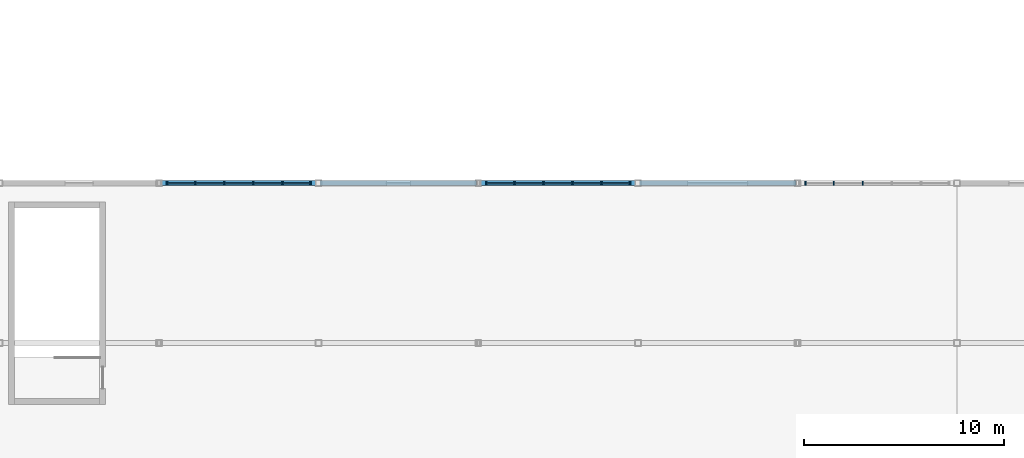
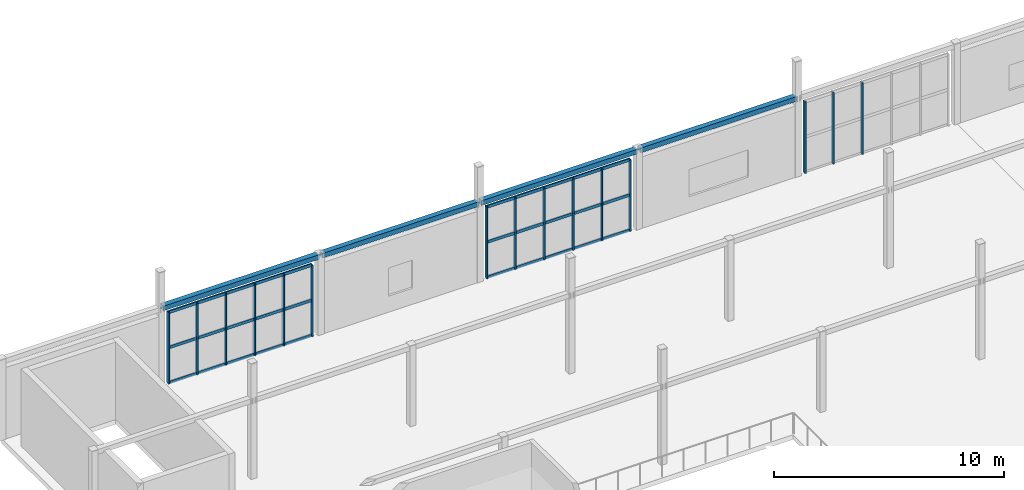
# One storey, part 29 of 83: 25 members, 3 elements without a shape of their own.
"""IFC4 building model written with IfcOpenShell, lengths in metres."""

from ifc_helpers import new_model, si_unit, direction, frame, origin, origin_2d, place, context, subcontext, project, spatial, rectangle, hollow_rectangle, extrude, material, material_profile, profile_set, type_object, element, aggregate, save


model = new_model("IFC4")

# Units and contexts
model_context = context("Model", 3, precision=1e-05, world=origin(), true_north=direction((0.0, 1.0)))
body_context = subcontext(model_context, "Body", "Model", "MODEL_VIEW")
ifc_project = project(units=[si_unit("LENGTHUNIT", "METRE"), si_unit("AREAUNIT", "SQUARE_METRE"), si_unit("VOLUMEUNIT", "CUBIC_METRE"), si_unit("PLANEANGLEUNIT", "RADIAN"), si_unit("MASSUNIT", "GRAM", prefix="KILO")], contexts=[model_context])

# Site, building, storey
site_placement = place(None, origin())
site = spatial("IfcSite", under=ifc_project, at=site_placement, CompositionType="ELEMENT")
building_placement = place(site_placement, origin())
building = spatial("IfcBuilding", under=site, at=building_placement, Name="Drelvath Fold Interchange", CompositionType="ELEMENT")
storey_placement = place(building_placement, frame((0.0, 0.0, 11.199951171875)))
storey = spatial("IfcBuildingStorey", under=building, at=storey_placement, Name="L02", CompositionType="ELEMENT", Elevation=11.199951171875)

# Members
ifc_material_1 = material(Name="Steel ASTM A500 Grade C", Category="steel")
ifc_material_profile_1 = material_profile(ifc_material_1, hollow_rectangle(XDim=0.25390625, YDim=0.25390625, WallThickness=0.01171875, at=origin_2d()), Name="HSS10X10X1/2")
ifc_profile_set_1 = profile_set([ifc_material_profile_1], Name="Steel ASTM A500 Grade C")
member_type_1 = type_object("IfcMemberType", Name="FP-CHD254", PredefinedType="CHORD", material=ifc_profile_set_1)
for number, where, z_axis, x_axis, name in (
    (1, (12.080078125, 99.0, 4.150146484375), (1.0, 0.0, 0.0), (0.0, 1.0, 0.0), "L02 Folded-plate roof truss tie chord FP-CHD254"),
    (2, (20.080078125, 99.0, 4.150146484375), (1.0, 0.0, 0.0), (0.0, 1.0, 0.0), "L02 Folded-plate roof truss tie chord FP-CHD254"),
    (3, (28.080078125, 99.0, 4.150146484375), (1.0, 0.0, 0.0), (0.0, 1.0, 0.0), "L02 Folded-plate roof truss tie chord FP-CHD254"),
    (4, (36.080078125, 99.0, 4.150146484375), (1.0, 0.0, 0.0), (0.0, 1.0, 0.0), "L02 Folded-plate roof truss tie chord FP-CHD254"),
):
    element("IfcMember", number, at=place(storey_placement, frame(where, z_axis=z_axis, x_axis=x_axis)), inside=storey, type_object=member_type_1, Name=name, PredefinedType="CHORD", context=body_context, shape_type="SweptSolid", body=[
        extrude(hollow_rectangle(XDim=0.25390625, YDim=0.25390625, WallThickness=0.01171875, at=origin_2d()), origin(), (0.0, 0.0, 1.0), 7.83984375),
    ])

# Curtain wall, members
ifc_material_2 = material(Name="Anodized Aluminium 6063-T6", Category="aluminium")
curtain_wall_type = type_object("IfcCurtainWallType", Name="CW-CON-440", PredefinedType="USERDEFINED", material=ifc_material_2)
curtain_wall_1_placement = place(storey_placement, origin())
curtain_wall_1 = element("IfcCurtainWall", 5, at=curtain_wall_1_placement, inside=storey, type_object=curtain_wall_type, Name="Curtain wall CW-V1-L02-N12", ObjectType="UNITISED CURTAIN WALL", PredefinedType="USERDEFINED")
ifc_material_profile_2 = material_profile(ifc_material_2, rectangle(XDim=0.06494140625, YDim=0.18994140625, at=origin_2d()), Name="AL-M 65x190")
ifc_profile_set_2 = profile_set([ifc_material_profile_2], Name="Anodized Aluminium 6063-T6")
member_type_2 = type_object("IfcMemberType", Name="ML-190", PredefinedType="MULLION", material=ifc_profile_set_2)
member_1_placement = place(storey_placement, frame((12.39990234375, 99.0, 0.0), z_axis=(0.0, 0.0, 1.0), x_axis=(1.0, 0.0, 0.0)))
member_1 = element("IfcMember", 6, at=member_1_placement, type_object=member_type_2, Name="CW-V1-L02-N12 mullion 0", PredefinedType="MULLION", context=body_context, shape_type="SweptSolid", body=[
    extrude(rectangle(XDim=0.06494140625, YDim=0.18994140625, at=origin_2d()), origin(), (0.0, 0.0, 1.0), 3.800048828125),
])
member_2_placement = place(storey_placement, frame((13.81591796875, 99.0, 0.0), z_axis=(0.0, 0.0, 1.0), x_axis=(1.0, 0.0, 0.0)))
member_2 = element("IfcMember", 7, at=member_2_placement, type_object=member_type_2, Name="CW-V1-L02-N12 mullion 1", PredefinedType="MULLION", context=body_context, shape_type="SweptSolid", body=[
    extrude(rectangle(XDim=0.06494140625, YDim=0.18994140625, at=origin_2d()), origin(), (0.0, 0.0, 1.0), 3.800048828125),
])
member_3_placement = place(storey_placement, frame((15.27197265625, 99.0, 0.0), z_axis=(0.0, 0.0, 1.0), x_axis=(1.0, 0.0, 0.0)))
member_3 = element("IfcMember", 8, at=member_3_placement, type_object=member_type_2, Name="CW-V1-L02-N12 mullion 2", PredefinedType="MULLION", context=body_context, shape_type="SweptSolid", body=[
    extrude(rectangle(XDim=0.06494140625, YDim=0.18994140625, at=origin_2d()), origin(), (0.0, 0.0, 1.0), 3.800048828125),
])
member_4_placement = place(storey_placement, frame((16.72802734375, 99.0, 0.0), z_axis=(0.0, 0.0, 1.0), x_axis=(1.0, 0.0, 0.0)))
member_4 = element("IfcMember", 9, at=member_4_placement, type_object=member_type_2, Name="CW-V1-L02-N12 mullion 3", PredefinedType="MULLION", context=body_context, shape_type="SweptSolid", body=[
    extrude(rectangle(XDim=0.06494140625, YDim=0.18994140625, at=origin_2d()), origin(), (0.0, 0.0, 1.0), 3.800048828125),
])
member_5_placement = place(storey_placement, frame((18.18408203125, 99.0, 0.0), z_axis=(0.0, 0.0, 1.0), x_axis=(1.0, 0.0, 0.0)))
member_5 = element("IfcMember", 10, at=member_5_placement, type_object=member_type_2, Name="CW-V1-L02-N12 mullion 4", PredefinedType="MULLION", context=body_context, shape_type="SweptSolid", body=[
    extrude(rectangle(XDim=0.06494140625, YDim=0.18994140625, at=origin_2d()), origin(), (0.0, 0.0, 1.0), 3.800048828125),
])
member_6_placement = place(storey_placement, frame((19.60009765625, 99.0, 0.0), z_axis=(0.0, 0.0, 1.0), x_axis=(1.0, 0.0, 0.0)))
member_6 = element("IfcMember", 11, at=member_6_placement, type_object=member_type_2, Name="CW-V1-L02-N12 mullion 5", PredefinedType="MULLION", context=body_context, shape_type="SweptSolid", body=[
    extrude(rectangle(XDim=0.06494140625, YDim=0.18994140625, at=origin_2d()), origin(), (0.0, 0.0, 1.0), 3.800048828125),
])

curtain_wall_2_placement = place(storey_placement, origin())
curtain_wall_2 = element("IfcCurtainWall", 12, at=curtain_wall_2_placement, inside=storey, type_object=curtain_wall_type, Name="Curtain wall CW-V1-L02-N28", ObjectType="UNITISED CURTAIN WALL", PredefinedType="USERDEFINED")
member_7_placement = place(storey_placement, frame((28.39990234375, 99.0, 0.0), z_axis=(0.0, 0.0, 1.0), x_axis=(1.0, 0.0, 0.0)))
member_7 = element("IfcMember", 13, at=member_7_placement, type_object=member_type_2, Name="CW-V1-L02-N28 mullion 0", PredefinedType="MULLION", context=body_context, shape_type="SweptSolid", body=[
    extrude(rectangle(XDim=0.06494140625, YDim=0.18994140625, at=origin_2d()), origin(), (0.0, 0.0, 1.0), 3.800048828125),
])
member_8_placement = place(storey_placement, frame((29.81591796875, 99.0, 0.0), z_axis=(0.0, 0.0, 1.0), x_axis=(1.0, 0.0, 0.0)))
member_8 = element("IfcMember", 14, at=member_8_placement, type_object=member_type_2, Name="CW-V1-L02-N28 mullion 1", PredefinedType="MULLION", context=body_context, shape_type="SweptSolid", body=[
    extrude(rectangle(XDim=0.06494140625, YDim=0.18994140625, at=origin_2d()), origin(), (0.0, 0.0, 1.0), 3.800048828125),
])
member_9_placement = place(storey_placement, frame((31.27197265625, 99.0, 0.0), z_axis=(0.0, 0.0, 1.0), x_axis=(1.0, 0.0, 0.0)))
member_9 = element("IfcMember", 15, at=member_9_placement, type_object=member_type_2, Name="CW-V1-L02-N28 mullion 2", PredefinedType="MULLION", context=body_context, shape_type="SweptSolid", body=[
    extrude(rectangle(XDim=0.06494140625, YDim=0.18994140625, at=origin_2d()), origin(), (0.0, 0.0, 1.0), 3.800048828125),
])
member_10_placement = place(storey_placement, frame((32.72802734375, 99.0, 0.0), z_axis=(0.0, 0.0, 1.0), x_axis=(1.0, 0.0, 0.0)))
member_10 = element("IfcMember", 16, at=member_10_placement, type_object=member_type_2, Name="CW-V1-L02-N28 mullion 3", PredefinedType="MULLION", context=body_context, shape_type="SweptSolid", body=[
    extrude(rectangle(XDim=0.06494140625, YDim=0.18994140625, at=origin_2d()), origin(), (0.0, 0.0, 1.0), 3.800048828125),
])
member_11_placement = place(storey_placement, frame((34.18408203125, 99.0, 0.0), z_axis=(0.0, 0.0, 1.0), x_axis=(1.0, 0.0, 0.0)))
member_11 = element("IfcMember", 17, at=member_11_placement, type_object=member_type_2, Name="CW-V1-L02-N28 mullion 4", PredefinedType="MULLION", context=body_context, shape_type="SweptSolid", body=[
    extrude(rectangle(XDim=0.06494140625, YDim=0.18994140625, at=origin_2d()), origin(), (0.0, 0.0, 1.0), 3.800048828125),
])
member_12_placement = place(storey_placement, frame((35.60009765625, 99.0, 0.0), z_axis=(0.0, 0.0, 1.0), x_axis=(1.0, 0.0, 0.0)))
member_12 = element("IfcMember", 18, at=member_12_placement, type_object=member_type_2, Name="CW-V1-L02-N28 mullion 5", PredefinedType="MULLION", context=body_context, shape_type="SweptSolid", body=[
    extrude(rectangle(XDim=0.06494140625, YDim=0.18994140625, at=origin_2d()), origin(), (0.0, 0.0, 1.0), 3.800048828125),
])

curtain_wall_3_placement = place(storey_placement, origin())
curtain_wall_3 = element("IfcCurtainWall", 19, at=curtain_wall_3_placement, inside=storey, type_object=curtain_wall_type, Name="Curtain wall CW-V1-L02-N44", ObjectType="UNITISED CURTAIN WALL", PredefinedType="USERDEFINED")
member_13_placement = place(storey_placement, frame((44.39990234375, 99.0, 0.0), z_axis=(0.0, 0.0, 1.0), x_axis=(1.0, 0.0, 0.0)))
member_13 = element("IfcMember", 20, at=member_13_placement, type_object=member_type_2, Name="CW-V1-L02-N44 mullion 0", PredefinedType="MULLION", context=body_context, shape_type="SweptSolid", body=[
    extrude(rectangle(XDim=0.06494140625, YDim=0.18994140625, at=origin_2d()), origin(), (0.0, 0.0, 1.0), 3.800048828125),
])
member_14_placement = place(storey_placement, frame((45.81591796875, 99.0, 0.0), z_axis=(0.0, 0.0, 1.0), x_axis=(1.0, 0.0, 0.0)))
member_14 = element("IfcMember", 21, at=member_14_placement, type_object=member_type_2, Name="CW-V1-L02-N44 mullion 1", PredefinedType="MULLION", context=body_context, shape_type="SweptSolid", body=[
    extrude(rectangle(XDim=0.06494140625, YDim=0.18994140625, at=origin_2d()), origin(), (0.0, 0.0, 1.0), 3.800048828125),
])
member_15_placement = place(storey_placement, frame((47.27197265625, 99.0, 0.0), z_axis=(0.0, 0.0, 1.0), x_axis=(1.0, 0.0, 0.0)))
member_15 = element("IfcMember", 22, at=member_15_placement, type_object=member_type_2, Name="CW-V1-L02-N44 mullion 2", PredefinedType="MULLION", context=body_context, shape_type="SweptSolid", body=[
    extrude(rectangle(XDim=0.06494140625, YDim=0.18994140625, at=origin_2d()), origin(), (0.0, 0.0, 1.0), 3.800048828125),
])
aggregate(curtain_wall_3, [member_13, member_14, member_15])

# Member
ifc_material_profile_3 = material_profile(ifc_material_2, rectangle(XDim=0.06494140625, YDim=0.155029296875, at=origin_2d()), Name="AL-T 65x155")
ifc_profile_set_3 = profile_set([ifc_material_profile_3], Name="Anodized Aluminium 6063-T6")
member_type_3 = type_object("IfcMemberType", Name="TR-155", PredefinedType="USERDEFINED", material=ifc_profile_set_3)
member_16_placement = place(storey_placement, frame((12.39990234375, 99.0, 0.030029296875), z_axis=(1.0, 0.0, 0.0), x_axis=(0.0, 1.0, 0.0)))
member_16 = element("IfcMember", 23, at=member_16_placement, type_object=member_type_3, Name="CW-V1-L02-N12 transom 0", ObjectType="TRANSOM", PredefinedType="USERDEFINED", context=body_context, shape_type="SweptSolid", body=[
    extrude(rectangle(XDim=0.06494140625, YDim=0.155029296875, at=origin_2d()), origin(), (0.0, 0.0, 1.0), 7.2001953125),
])

member_17_placement = place(storey_placement, frame((12.39990234375, 99.0, 1.900146484375), z_axis=(1.0, 0.0, 0.0), x_axis=(0.0, 1.0, 0.0)))
member_17 = element("IfcMember", 24, at=member_17_placement, type_object=member_type_3, Name="CW-V1-L02-N12 transom 1", ObjectType="TRANSOM", PredefinedType="USERDEFINED", context=body_context, shape_type="SweptSolid", body=[
    extrude(rectangle(XDim=0.06494140625, YDim=0.155029296875, at=origin_2d()), origin(), (0.0, 0.0, 1.0), 7.2001953125),
])

member_18_placement = place(storey_placement, frame((12.39990234375, 99.0, 3.77001953125), z_axis=(1.0, 0.0, 0.0), x_axis=(0.0, 1.0, 0.0)))
member_18 = element("IfcMember", 25, at=member_18_placement, type_object=member_type_3, Name="CW-V1-L02-N12 transom 2", ObjectType="TRANSOM", PredefinedType="USERDEFINED", context=body_context, shape_type="SweptSolid", body=[
    extrude(rectangle(XDim=0.06494140625, YDim=0.155029296875, at=origin_2d()), origin(), (0.0, 0.0, 1.0), 7.2001953125),
])

aggregate(curtain_wall_1, [member_1, member_2, member_3, member_4, member_5, member_6, member_16, member_17, member_18])

member_19_placement = place(storey_placement, frame((28.39990234375, 99.0, 0.030029296875), z_axis=(1.0, 0.0, 0.0), x_axis=(0.0, 1.0, 0.0)))
member_19 = element("IfcMember", 26, at=member_19_placement, type_object=member_type_3, Name="CW-V1-L02-N28 transom 0", ObjectType="TRANSOM", PredefinedType="USERDEFINED", context=body_context, shape_type="SweptSolid", body=[
    extrude(rectangle(XDim=0.06494140625, YDim=0.155029296875, at=origin_2d()), origin(), (0.0, 0.0, 1.0), 7.2001953125),
])

member_20_placement = place(storey_placement, frame((28.39990234375, 99.0, 1.900146484375), z_axis=(1.0, 0.0, 0.0), x_axis=(0.0, 1.0, 0.0)))
member_20 = element("IfcMember", 27, at=member_20_placement, type_object=member_type_3, Name="CW-V1-L02-N28 transom 1", ObjectType="TRANSOM", PredefinedType="USERDEFINED", context=body_context, shape_type="SweptSolid", body=[
    extrude(rectangle(XDim=0.06494140625, YDim=0.155029296875, at=origin_2d()), origin(), (0.0, 0.0, 1.0), 7.2001953125),
])

member_21_placement = place(storey_placement, frame((28.39990234375, 99.0, 3.77001953125), z_axis=(1.0, 0.0, 0.0), x_axis=(0.0, 1.0, 0.0)))
member_21 = element("IfcMember", 28, at=member_21_placement, type_object=member_type_3, Name="CW-V1-L02-N28 transom 2", ObjectType="TRANSOM", PredefinedType="USERDEFINED", context=body_context, shape_type="SweptSolid", body=[
    extrude(rectangle(XDim=0.06494140625, YDim=0.155029296875, at=origin_2d()), origin(), (0.0, 0.0, 1.0), 7.2001953125),
])

aggregate(curtain_wall_2, [member_7, member_8, member_9, member_10, member_11, member_12, member_19, member_20, member_21])

save(model, "model.ifc")
